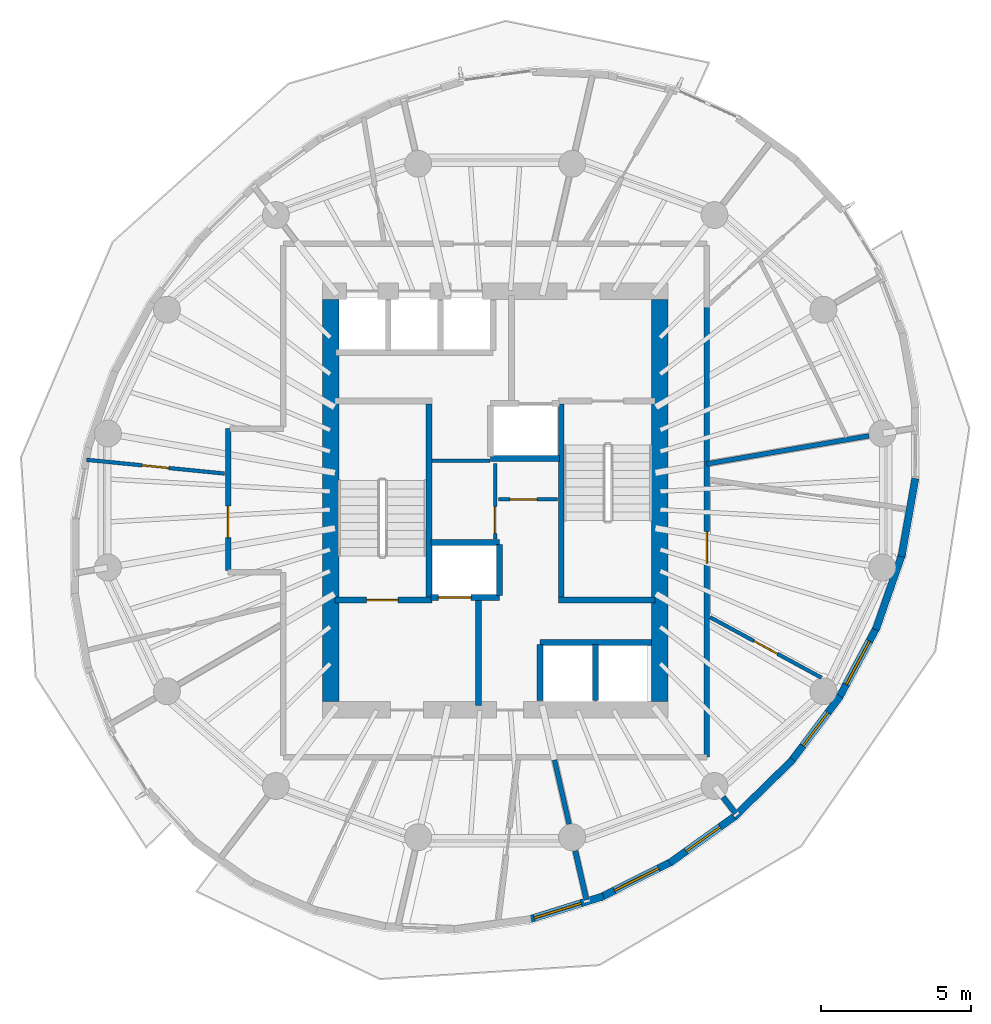
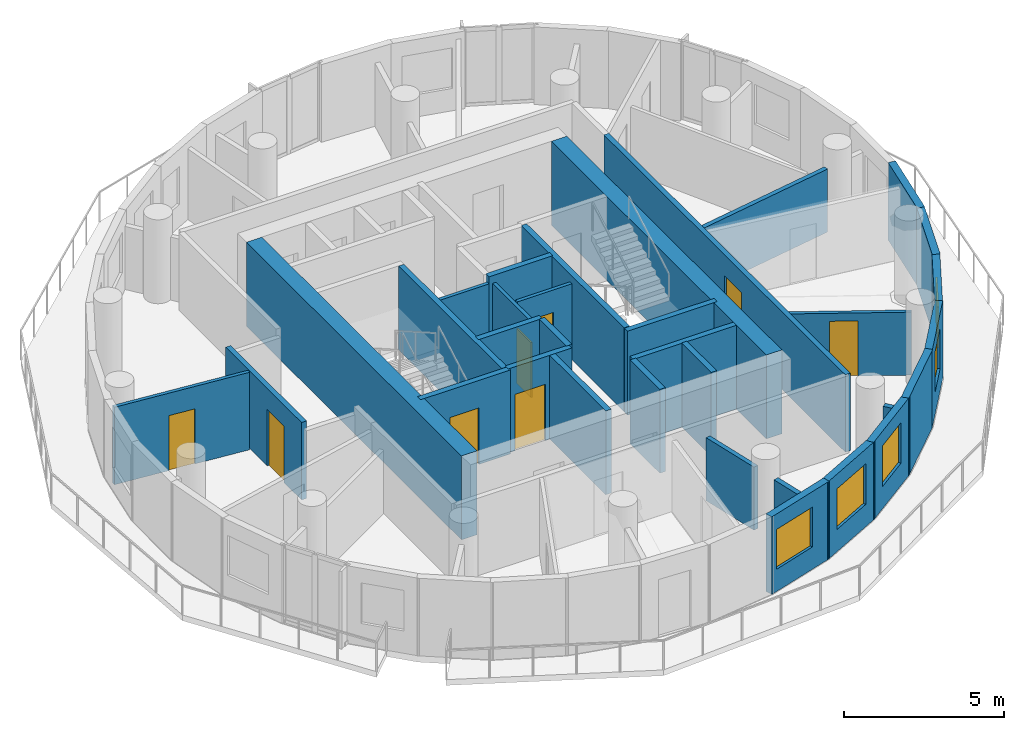
# One storey, part 5 of 10: 33 walls, 8 doors, 5 windows, 13 openings.
"""IFC4 building model written with IfcOpenShell, lengths in metres."""

from ifc_helpers import new_model, si_unit, direction, frame, frame_2d, origin, place, context, subcontext, project, spatial, rectangle, extrude, material, layer, layer_set, type_object, element, fill, save


model = new_model("IFC4")

# Units and contexts
model_context = context("Model", 3, precision=1e-05, world=origin(), true_north=direction((0.0, 1.0)))
body_context = subcontext(model_context, "Body", "Model", "MODEL_VIEW")
ifc_project = project(units=[si_unit("LENGTHUNIT", "METRE"), si_unit("AREAUNIT", "SQUARE_METRE"), si_unit("VOLUMEUNIT", "CUBIC_METRE"), si_unit("PLANEANGLEUNIT", "RADIAN"), si_unit("MASSUNIT", "GRAM", prefix="KILO")], contexts=[model_context])

# Site, building, storey
site_placement = place(None, origin())
site = spatial("IfcSite", under=ifc_project, at=site_placement, CompositionType="ELEMENT")
building_placement = place(site_placement, origin())
building = spatial("IfcBuilding", under=site, at=building_placement, Name="Veldorim Arch Residences", CompositionType="ELEMENT")
storey_placement = place(building_placement, frame((0.0, 0.0, 195.0400390625)))
storey = spatial("IfcBuildingStorey", under=building, at=storey_placement, Name="L58", CompositionType="ELEMENT", Elevation=195.0400390625)

# Wall, opening, door
ifc_material_1 = material(Name="Acoustic Gypsum Board", Category="gypsum")
ifc_layer_1 = layer(ifc_material_1, 0.125, Name="Acoustic Stud Room Partition Wall 125")
ifc_layer_set_1 = layer_set([ifc_layer_1], Name="Acoustic Gypsum Board")
wall_type_1 = type_object("IfcWallType", Name="Acoustic Stud Room Partition Wall 125", PredefinedType="PARTITIONING", material=ifc_layer_set_1)
wall_1_placement = place(storey_placement, frame((32.0, 22.719970703125, 0.0), z_axis=(0.0, 0.0, 1.0), x_axis=(0.0, 1.0, 0.0)))
wall_1 = element("IfcWall", 1, at=wall_1_placement, inside=storey, type_object=wall_type_1, Name="L58 interior wall WL-CA-L58-1", PredefinedType="PARTITIONING", context=body_context, shape_type="SweptSolid", body=[
    extrude(rectangle(XDim=2.52001953125, YDim=0.125, at=frame_2d((1.260009765625, 0.0))), origin(), (0.0, 0.0, 1.0), 2.955078125),
])
opening_1_placement = place(wall_1_placement, frame((0.179931640625, 0.0, 0.0)))
opening_1 = element("IfcOpeningElement", 2, at=opening_1_placement, cuts=wall_1, Name="Opening DR-SVC", PredefinedType="OPENING", context=body_context, shape_type="SweptSolid", body=[
    extrude(rectangle(XDim=0.89990234375, YDim=2.10009765625, at=frame_2d((0.449951171875, 1.050048828125))), frame((0.0, 0.072509765625, 0.0), z_axis=(0.0, -1.0, 0.0), x_axis=(1.0, 0.0, 0.0)), (0.0, 0.0, 1.0), 0.14501953125),
])
ifc_material_2 = material(Name="Fire-Rated Steel", Category="steel")
door_type_1 = type_object("IfcDoorType", Name="Riser, Shelter & Plant Room Rated Steel Door 900x2100", OperationType="SINGLE_SWING_LEFT", PredefinedType="DOOR", material=ifc_material_2)
door_1_placement = place(opening_1_placement, origin())
door_1 = element("IfcDoor", 3, at=door_1_placement, inside=storey, type_object=door_type_1, Name="L58 interior door DR-L58-CA2", OperationType="SINGLE_SWING_RIGHT", OverallHeight=2.10009765625, OverallWidth=0.89990234375, PredefinedType="DOOR", context=body_context, shape_type="SweptSolid", body=[
    extrude(rectangle(XDim=0.89990234375, YDim=2.10009765625, at=frame_2d((0.449951171875, 1.050048828125))), frame((0.0, 0.02490234375, 0.0), z_axis=(0.0, -1.0, 0.0), x_axis=(1.0, 0.0, 0.0)), (0.0, 0.0, 1.0), 0.050048828125),
])
fill(opening_1, door_1)

wall_2_placement = place(storey_placement, frame((32.110107421875, 24.0400390625, 0.0), z_axis=(0.0, 0.0, 1.0), x_axis=(1.0, 0.0, 0.0)))
wall_2 = element("IfcWall", 4, at=wall_2_placement, inside=storey, type_object=wall_type_1, Name="L58 interior wall WL-CA-L58-3", PredefinedType="PARTITIONING", context=body_context, shape_type="SweptSolid", body=[
    extrude(rectangle(XDim=1.969970703125, YDim=0.125, at=frame_2d((0.98486328125, 0.0))), origin(), (0.0, 0.0, 1.0), 2.955078125),
])
opening_2_placement = place(wall_2_placement, frame((0.389892578125, 0.0, 0.0)))
opening_2 = element("IfcOpeningElement", 5, at=opening_2_placement, cuts=wall_2, Name="Opening DR-INT", PredefinedType="OPENING", context=body_context, shape_type="SweptSolid", body=[
    extrude(rectangle(XDim=0.89990234375, YDim=2.10009765625, at=frame_2d((0.449951171875, 1.050048828125))), frame((0.0, 0.072509765625, 0.0), z_axis=(0.0, -1.0, 0.0), x_axis=(1.0, 0.0, 0.0)), (0.0, 0.0, 1.0), 0.14501953125),
])
ifc_material_3 = material(Name="Engineered Timber", Category="wood")
door_type_2 = type_object("IfcDoorType", Name="Apartment Internal Room Timber Door 900x2100", OperationType="SINGLE_SWING_LEFT", PredefinedType="DOOR", material=ifc_material_3)
door_2_placement = place(opening_2_placement, origin())
door_2 = element("IfcDoor", 6, at=door_2_placement, inside=storey, type_object=door_type_2, Name="L58 interior door DR-L58-CA1", OperationType="SINGLE_SWING_LEFT", OverallHeight=2.10009765625, OverallWidth=0.89990234375, PredefinedType="DOOR", context=body_context, shape_type="SweptSolid", body=[
    extrude(rectangle(XDim=0.89990234375, YDim=2.10009765625, at=frame_2d((0.449951171875, 1.050048828125))), frame((0.0, 0.02490234375, 0.0), z_axis=(0.0, -1.0, 0.0), x_axis=(1.0, 0.0, 0.0)), (0.0, 0.0, 1.0), 0.050048828125),
])
fill(opening_2, door_2)

# Wall
wall_3_placement = place(storey_placement, frame((29.889892578125, 25.330078125, 0.0), z_axis=(0.0, 0.0, 1.0), x_axis=(1.0, 0.0, 0.0)))
element("IfcWall", 7, at=wall_3_placement, inside=storey, type_object=wall_type_1, Name="L58 interior wall WL-CA-L58-N", PredefinedType="PARTITIONING", context=body_context, shape_type="SweptSolid", body=[
    extrude(rectangle(XDim=1.940185546875, YDim=0.125, at=frame_2d((0.97021484375, 0.0))), origin(), (0.0, 0.0, 1.0), 2.955078125),
])

# Wall, opening, door
wall_4_placement = place(storey_placement, frame((42.910888671875, 18.075439453125, 0.0), z_axis=(0.0, 0.0, 1.0), x_axis=(-0.878816171277, 0.477160494071, 0.0)))
wall_4 = element("IfcWall", 8, at=wall_4_placement, inside=storey, type_object=wall_type_1, Name="L58 interior wall WL-RES-L58-016", PredefinedType="PARTITIONING", context=body_context, shape_type="SweptSolid", body=[
    extrude(rectangle(XDim=4.239013671875, YDim=0.125, at=frame_2d((2.11962890625, 0.0))), origin(), (0.0, 0.0, 1.0), 2.4033203125),
])
opening_3_placement = place(wall_4_placement, frame((1.669677734375, 0.0, 0.0)))
opening_3 = element("IfcOpeningElement", 9, at=opening_3_placement, cuts=wall_4, Name="Opening DR-INT", PredefinedType="OPENING", context=body_context, shape_type="SweptSolid", body=[
    extrude(rectangle(XDim=0.89990234375, YDim=2.10009765625, at=frame_2d((0.449951171875, 1.050048828125))), frame((0.0, 0.072509765625, 0.0), z_axis=(0.0, -1.0, 0.0), x_axis=(1.0, 0.0, 0.0)), (0.0, 0.0, 1.0), 0.14501953125),
])
door_3_placement = place(opening_3_placement, origin())
door_3 = element("IfcDoor", 10, at=door_3_placement, inside=storey, type_object=door_type_2, Name="L58 interior door DR-RES-L58-006", OperationType="SINGLE_SWING_RIGHT", OverallHeight=2.10009765625, OverallWidth=0.89990234375, PredefinedType="DOOR", context=body_context, shape_type="SweptSolid", body=[
    extrude(rectangle(XDim=0.89990234375, YDim=2.10009765625, at=frame_2d((0.449951171875, 1.050048828125))), frame((0.0, 0.02490234375, 0.0), z_axis=(0.0, -1.0, 0.0), x_axis=(1.0, 0.0, 0.0)), (0.0, 0.0, 1.0), 0.050048828125),
])
fill(opening_3, door_3)

wall_5_placement = place(storey_placement, frame((18.33349609375, 25.361572265625, 0.0), z_axis=(0.0, 0.0, 1.0), x_axis=(0.995074627982, -0.09912862728, 0.0)))
wall_5 = element("IfcWall", 11, at=wall_5_placement, inside=storey, type_object=wall_type_1, Name="L58 interior wall WL-RES-L58-025", PredefinedType="PARTITIONING", context=body_context, shape_type="SweptSolid", body=[
    extrude(rectangle(XDim=4.64013671875, YDim=0.125, at=frame_2d((2.320068359375, 0.0))), origin(), (0.0, 0.0, 1.0), 2.955078125),
])
opening_4_placement = place(wall_5_placement, frame((1.8701171875, 0.0, 0.0)))
opening_4 = element("IfcOpeningElement", 12, at=opening_4_placement, cuts=wall_5, Name="Opening DR-INT", PredefinedType="OPENING", context=body_context, shape_type="SweptSolid", body=[
    extrude(rectangle(XDim=0.89990234375, YDim=2.10009765625, at=frame_2d((0.449951171875, 1.050048828125))), frame((0.0, 0.072509765625, 0.0), z_axis=(0.0, -1.0, 0.0), x_axis=(1.0, 0.0, 0.0)), (0.0, 0.0, 1.0), 0.14501953125),
])
door_4_placement = place(opening_4_placement, origin())
door_4 = element("IfcDoor", 13, at=door_4_placement, inside=storey, type_object=door_type_2, Name="L58 interior door DR-RES-L58-015", OperationType="SINGLE_SWING_LEFT", OverallHeight=2.10009765625, OverallWidth=0.89990234375, PredefinedType="DOOR", context=body_context, shape_type="SweptSolid", body=[
    extrude(rectangle(XDim=0.89990234375, YDim=2.10009765625, at=frame_2d((0.449951171875, 1.050048828125))), frame((0.0, 0.02490234375, 0.0), z_axis=(0.0, -1.0, 0.0), x_axis=(1.0, 0.0, 0.0)), (0.0, 0.0, 1.0), 0.050048828125),
])
fill(opening_4, door_4)

# Walls
ifc_material_4 = material(Name="Lightweight Masonry Block & Gypsum", Category="masonry")
ifc_layer_2 = layer(ifc_material_4, 0.179931640625, Name="Compartment & Corridor Fire-Rated Party Wall 180")
ifc_layer_set_2 = layer_set([ifc_layer_2], Name="Lightweight Masonry Block & Gypsum")
wall_type_2 = type_object("IfcWallType", Name="Compartment & Corridor Fire-Rated Party Wall 180", PredefinedType="PARTITIONING", material=ifc_layer_set_2)
wall_6_placement = place(storey_placement, frame((34.679931640625, 12.282470703125, 0.0), z_axis=(0.0, 0.0, 1.0), x_axis=(0.222978827263, -0.97482328788, 0.0)))
element("IfcWall", 14, at=wall_6_placement, inside=storey, type_object=wall_type_2, Name="L58 interior wall WL-PIER-L58-13", PredefinedType="PARTITIONING", context=body_context, shape_type="SweptSolid", body=[
    extrude(rectangle(XDim=1.678466796875, YDim=0.179931640625, at=frame_2d((0.83935546875, 0.0))), origin(), (0.0, 0.0, 1.0), 2.4033203125),
])
wall_7_placement = place(storey_placement, frame((39.619873046875, 14.08203125, 0.0), z_axis=(0.0, 0.0, 1.0), x_axis=(0.60904199592, -0.793137974885, 0.0)))
element("IfcWall", 15, at=wall_7_placement, inside=storey, type_object=wall_type_2, Name="L58 interior wall WL-PIER-L58-14", PredefinedType="PARTITIONING", context=body_context, shape_type="SweptSolid", body=[
    extrude(rectangle(XDim=0.688232421875, YDim=0.179931640625, at=frame_2d((0.34423828125, 0.0))), origin(), (0.0, 0.0, 1.0), 2.4033203125),
])

# Wall, opening, door
wall_8_placement = place(storey_placement, frame((39.080078125, 30.50830078125, 0.0), z_axis=(0.0, 0.0, 1.0), x_axis=(0.0, -1.0, 0.0)))
wall_8 = element("IfcWall", 16, at=wall_8_placement, inside=storey, type_object=wall_type_2, Name="L58 interior wall WL-RES-L58-003", PredefinedType="PARTITIONING", context=body_context, shape_type="SweptSolid", body=[
    extrude(rectangle(XDim=15.08837890625, YDim=0.179931640625, at=frame_2d((7.544189453125, 0.0))), origin(), (0.0, 0.0, 1.0), 2.955078125),
])
opening_5_placement = place(wall_8_placement, frame((7.548095703125, 0.0, 0.0)))
opening_5 = element("IfcOpeningElement", 17, at=opening_5_placement, cuts=wall_8, Name="Opening DR-FLT", PredefinedType="OPENING", context=body_context, shape_type="SweptSolid", body=[
    extrude(rectangle(XDim=1.050048828125, YDim=2.14990234375, at=frame_2d((0.52490234375, 1.074951171875))), frame((0.0, 0.099853515625, 0.0), z_axis=(0.0, -1.0, 0.0), x_axis=(1.0, 0.0, 0.0)), (0.0, 0.0, 1.0), 0.199951171875),
])
ifc_material_5 = material(Name="Fire-Rated Timber", Category="wood")
door_type_3 = type_object("IfcDoorType", Name="Apartment Entrance Solid-Core Fire Door 1050x2150", OperationType="SINGLE_SWING_LEFT", PredefinedType="DOOR", material=ifc_material_5)
door_5_placement = place(opening_5_placement, origin())
door_5 = element("IfcDoor", 18, at=door_5_placement, inside=storey, type_object=door_type_3, Name="L58 interior door DR-RES-L58-004", OperationType="SINGLE_SWING_RIGHT", OverallHeight=2.14990234375, OverallWidth=1.050048828125, PredefinedType="DOOR", context=body_context, shape_type="SweptSolid", body=[
    extrude(rectangle(XDim=1.050048828125, YDim=2.14990234375, at=frame_2d((0.52490234375, 1.074951171875))), frame((0.0, 0.02490234375, 0.0), z_axis=(0.0, -1.0, 0.0), x_axis=(1.0, 0.0, 0.0)), (0.0, 0.0, 1.0), 0.050048828125),
])
fill(opening_5, door_5)

wall_9_placement = place(storey_placement, frame((23.070068359375, 21.659912109375, 0.0), z_axis=(0.0, 0.0, 1.0), x_axis=(0.0, 1.0, 0.0)))
wall_9 = element("IfcWall", 19, at=wall_9_placement, inside=storey, type_object=wall_type_2, Name="L58 interior wall WL-RES-L58-008", PredefinedType="PARTITIONING", context=body_context, shape_type="SweptSolid", body=[
    extrude(rectangle(XDim=4.739990234375, YDim=0.179931640625, at=frame_2d((2.3701171875, 0.0))), origin(), (0.0, 0.0, 1.0), 2.955078125),
])
opening_6_placement = place(wall_9_placement, frame((1.099853515625, 0.0, 0.0)))
opening_6 = element("IfcOpeningElement", 20, at=opening_6_placement, cuts=wall_9, Name="Opening DR-FLT", PredefinedType="OPENING", context=body_context, shape_type="SweptSolid", body=[
    extrude(rectangle(XDim=1.050048828125, YDim=2.14990234375, at=frame_2d((0.52490234375, 1.074951171875))), frame((0.0, 0.099853515625, 0.0), z_axis=(0.0, -1.0, 0.0), x_axis=(1.0, 0.0, 0.0)), (0.0, 0.0, 1.0), 0.199951171875),
])
door_6_placement = place(opening_6_placement, origin())
door_6 = element("IfcDoor", 21, at=door_6_placement, inside=storey, type_object=door_type_3, Name="L58 interior door DR-RES-L58-013", OperationType="SINGLE_SWING_LEFT", OverallHeight=2.14990234375, OverallWidth=1.050048828125, PredefinedType="DOOR", context=body_context, shape_type="SweptSolid", body=[
    extrude(rectangle(XDim=1.050048828125, YDim=2.14990234375, at=frame_2d((0.52490234375, 1.074951171875))), frame((0.0, 0.02490234375, 0.0), z_axis=(0.0, -1.0, 0.0), x_axis=(1.0, 0.0, 0.0)), (0.0, 0.0, 1.0), 0.050048828125),
])
fill(opening_6, door_6)

# Wall
ifc_material_6 = material(Name="Concrete C50/60", Category="concrete")
ifc_layer_3 = layer(ifc_material_6, 0.199951171875, Name="Core Stair & Lift Shaft Enclosure Wall 200")
ifc_layer_set_3 = layer_set([ifc_layer_3], Name="Concrete C50/60")
wall_type_3 = type_object("IfcWallType", Name="Core Stair & Lift Shaft Enclosure Wall 200", PredefinedType="SHEAR", material=ifc_layer_set_3)
wall_10_placement = place(storey_placement, frame((29.7900390625, 20.780029296875, 0.0), z_axis=(0.0, 0.0, 1.0), x_axis=(0.0, 1.0, 0.0)))
element("IfcWall", 22, at=wall_10_placement, inside=storey, type_object=wall_type_3, Name="L58 shaft wall WL-SHF-L58-ST1-E", PredefinedType="SHEAR", context=body_context, shape_type="SweptSolid", body=[
    extrude(rectangle(XDim=6.43994140625, YDim=0.199951171875, at=frame_2d((3.219970703125, 0.0))), origin(), (0.0, 0.0, 1.0), 3.199951171875),
])

# Wall, opening, door
wall_11_placement = place(storey_placement, frame((26.64990234375, 20.669921875, 0.0), z_axis=(0.0, 0.0, 1.0), x_axis=(1.0, 0.0, 0.0)))
wall_11 = element("IfcWall", 23, at=wall_11_placement, inside=storey, type_object=wall_type_3, Name="L58 shaft wall WL-SHF-L58-ST1-S", PredefinedType="SHEAR", context=body_context, shape_type="SweptSolid", body=[
    extrude(rectangle(XDim=3.239990234375, YDim=0.199951171875, at=frame_2d((1.6201171875, 0.0))), origin(), (0.0, 0.0, 1.0), 3.199951171875),
])
opening_7_placement = place(wall_11_placement, frame((1.054931640625, 0.0, 0.0)))
opening_7 = element("IfcOpeningElement", 24, at=opening_7_placement, cuts=wall_11, Name="Opening DR-ST", PredefinedType="OPENING", context=body_context, shape_type="SweptSolid", body=[
    extrude(rectangle(XDim=1.050048828125, YDim=2.14990234375, at=frame_2d((0.52490234375, 1.074951171875))), frame((0.0, 0.10986328125, 0.0), z_axis=(0.0, -1.0, 0.0), x_axis=(1.0, 0.0, 0.0)), (0.0, 0.0, 1.0), 0.219970703125),
])
ifc_material_7 = material(Name="Fire-Rated Steel", Category="steel")
door_type_4 = type_object("IfcDoorType", Name="Exit Staircase Self-Closing Fire Door 1050x2150", OperationType="SINGLE_SWING_LEFT", PredefinedType="DOOR", material=ifc_material_7)
door_7_placement = place(opening_7_placement, origin())
door_7 = element("IfcDoor", 25, at=door_7_placement, inside=storey, type_object=door_type_4, Name="L58 interior door DR-L58-ST1", OperationType="SINGLE_SWING_LEFT", OverallHeight=2.14990234375, OverallWidth=1.050048828125, PredefinedType="DOOR", context=body_context, shape_type="SweptSolid", body=[
    extrude(rectangle(XDim=1.050048828125, YDim=2.14990234375, at=frame_2d((0.52490234375, 1.074951171875))), frame((0.0, 0.02490234375, 0.0), z_axis=(0.0, -1.0, 0.0), x_axis=(1.0, 0.0, 0.0)), (0.0, 0.0, 1.0), 0.050048828125),
])
fill(opening_7, door_7)

# Walls
wall_12_placement = place(storey_placement, frame((34.2099609375, 20.780029296875, 0.0), z_axis=(0.0, 0.0, 1.0), x_axis=(0.0, 1.0, 0.0)))
element("IfcWall", 26, at=wall_12_placement, inside=storey, type_object=wall_type_3, Name="L58 shaft wall WL-SHF-L58-ST2-W", PredefinedType="SHEAR", context=body_context, shape_type="SweptSolid", body=[
    extrude(rectangle(XDim=6.43994140625, YDim=0.199951171875, at=frame_2d((3.219970703125, 0.0))), origin(), (0.0, 0.0, 1.0), 3.199951171875),
])
wall_13_placement = place(storey_placement, frame((34.110107421875, 20.669921875, 0.0), z_axis=(0.0, 0.0, 1.0), x_axis=(1.0, 0.0, 0.0)))
element("IfcWall", 27, at=wall_13_placement, inside=storey, type_object=wall_type_3, Name="L58 shaft wall WL-SHF-L58-ST2-S", PredefinedType="SHEAR", context=body_context, shape_type="SweptSolid", body=[
    extrude(rectangle(XDim=3.239990234375, YDim=0.199951171875, at=frame_2d((1.6201171875, 0.0))), origin(), (0.0, 0.0, 1.0), 3.199951171875),
])
wall_14_placement = place(storey_placement, frame((31.449951171875, 17.14990234375, 0.0), z_axis=(0.0, 0.0, 1.0), x_axis=(0.0, 1.0, 0.0)))
element("IfcWall", 28, at=wall_14_placement, inside=storey, type_object=wall_type_3, Name="L58 shaft wall WL-FFL1-L58-E", PredefinedType="SHEAR", context=body_context, shape_type="SweptSolid", body=[
    extrude(rectangle(XDim=3.5, YDim=0.199951171875, at=frame_2d((1.75, 0.0))), origin(), (0.0, 0.0, 1.0), 3.199951171875),
])

# Wall, opening, door
wall_15_placement = place(storey_placement, frame((29.85009765625, 20.75, 0.0), z_axis=(0.0, 0.0, 1.0), x_axis=(1.0, 0.0, 0.0)))
wall_15 = element("IfcWall", 29, at=wall_15_placement, inside=storey, type_object=wall_type_3, Name="L58 shaft wall WL-FL01-L58-S", PredefinedType="SHEAR", context=body_context, shape_type="SweptSolid", body=[
    extrude(rectangle(XDim=2.2998046875, YDim=0.199951171875, at=frame_2d((1.14990234375, 0.0))), origin(), (0.0, 0.0, 1.0), 3.199951171875),
])
opening_8_placement = place(wall_15_placement, frame((0.25, 0.0, 0.0)))
opening_8 = element("IfcOpeningElement", 30, at=opening_8_placement, cuts=wall_15, Name="Opening LD-FF", PredefinedType="OPENING", context=body_context, shape_type="SweptSolid", body=[
    extrude(rectangle(XDim=1.10009765625, YDim=2.14990234375, at=frame_2d((0.550048828125, 1.074951171875))), frame((0.0, 0.10986328125, 0.0), z_axis=(0.0, -1.0, 0.0), x_axis=(1.0, 0.0, 0.0)), (0.0, 0.0, 1.0), 0.219970703125),
])
ifc_material_8 = material(Name="Stainless Steel", Category="steel")
door_type_5 = type_object("IfcDoorType", Name="Firefighting Lift Bi-Parting Sliding Landing Door 1100x2150", OperationType="DOUBLE_DOOR_SLIDING", PredefinedType="DOOR", material=ifc_material_8)
door_8_placement = place(opening_8_placement, origin())
door_8 = element("IfcDoor", 31, at=door_8_placement, inside=storey, type_object=door_type_5, Name="L58 lift landing door LD-L58-FL01", OperationType="DOUBLE_DOOR_SLIDING", OverallHeight=2.14990234375, OverallWidth=1.10009765625, PredefinedType="DOOR", context=body_context, shape_type="SweptSolid", body=[
    extrude(rectangle(XDim=1.10009765625, YDim=2.14990234375, at=frame_2d((0.550048828125, 1.074951171875))), frame((0.0, 0.02490234375, 0.0), z_axis=(0.0, -1.0, 0.0), x_axis=(1.0, 0.0, 0.0)), (0.0, 0.0, 1.0), 0.050048828125),
])
fill(opening_8, door_8)

# Walls
wall_16_placement = place(storey_placement, frame((29.85009765625, 22.60009765625, 0.0), z_axis=(0.0, 0.0, 1.0), x_axis=(1.0, 0.0, 0.0)))
element("IfcWall", 32, at=wall_16_placement, inside=storey, type_object=wall_type_3, Name="L58 shaft wall WL-FL01-L58-N", PredefinedType="SHEAR", context=body_context, shape_type="SweptSolid", body=[
    extrude(rectangle(XDim=2.2998046875, YDim=0.199951171875, at=frame_2d((1.14990234375, 0.0))), origin(), (0.0, 0.0, 1.0), 3.199951171875),
])
wall_17_placement = place(storey_placement, frame((32.14990234375, 20.820068359375, 0.0), z_axis=(0.0, 0.0, 1.0), x_axis=(0.0, 1.0, 0.0)))
element("IfcWall", 33, at=wall_17_placement, inside=storey, type_object=wall_type_3, Name="L58 shaft wall WL-FL01-L58-E", PredefinedType="SHEAR", context=body_context, shape_type="SweptSolid", body=[
    extrude(rectangle(XDim=1.7099609375, YDim=0.199951171875, at=frame_2d((0.85498046875, 0.0))), origin(), (0.0, 0.0, 1.0), 3.199951171875),
])
wall_18_placement = place(storey_placement, frame((31.85009765625, 25.39990234375, 0.0), z_axis=(0.0, 0.0, 1.0), x_axis=(1.0, 0.0, 0.0)))
element("IfcWall", 34, at=wall_18_placement, inside=storey, type_object=wall_type_3, Name="L58 shaft wall WL-FL02-L58-S", PredefinedType="SHEAR", context=body_context, shape_type="SweptSolid", body=[
    extrude(rectangle(XDim=2.2998046875, YDim=0.199951171875, at=frame_2d((1.14990234375, 0.0))), origin(), (0.0, 0.0, 1.0), 3.199951171875),
])
wall_19_placement = place(storey_placement, frame((33.5, 19.25, 0.0), z_axis=(0.0, 0.0, 1.0), x_axis=(1.0, 0.0, 0.0)))
element("IfcWall", 35, at=wall_19_placement, inside=storey, type_object=wall_type_3, Name="L58 shaft wall WL-OL-L58-N", PredefinedType="SHEAR", context=body_context, shape_type="SweptSolid", body=[
    extrude(rectangle(XDim=3.719970703125, YDim=0.199951171875, at=frame_2d((1.85986328125, 0.0))), origin(), (0.0, 0.0, 1.0), 3.199951171875),
])
for number, where, z_axis, x_axis, name in (
    (36, (33.5, 17.320068359375, 0.0), (0.0, 0.0, 1.0), (0.0, 1.0, 0.0), "L58 shaft wall WL-OL-L58-W"),
    (37, (35.35009765625, 17.320068359375, 0.0), (0.0, 0.0, 1.0), (0.0, 1.0, 0.0), "L58 shaft wall WL-OL-L58-D1"),
):
    element("IfcWall", number, at=place(storey_placement, frame(where, z_axis=z_axis, x_axis=x_axis)), inside=storey, type_object=wall_type_3, Name=name, PredefinedType="SHEAR", context=body_context, shape_type="SweptSolid", body=[
        extrude(rectangle(XDim=1.85986328125, YDim=0.199951171875, at=frame_2d((0.929931640625, 0.0))), origin(), (0.0, 0.0, 1.0), 3.199951171875),
    ])

# Wall, opening, window
ifc_material_9 = material(Name="Precast concrete C40/50", Category="concrete")
ifc_layer_4 = layer(ifc_material_9, 0.25, Name="Tower Terracotta Spandrel & Pier Wall 250")
ifc_layer_set_4 = layer_set([ifc_layer_4], Name="Precast concrete C40/50")
wall_type_4 = type_object("IfcWallType", Name="Tower Terracotta Spandrel & Pier Wall 250", PredefinedType="SOLIDWALL", material=ifc_layer_set_4)
wall_20_placement = place(storey_placement, frame((35.620849609375, 10.765869140625, 0.0), z_axis=(0.0, 0.0, 1.0), x_axis=(-0.954307768746, -0.298825505122, 0.0)))
wall_20 = element("IfcWall", 38, at=wall_20_placement, inside=storey, type_object=wall_type_4, Name="L58 terracotta facade wall 24", PredefinedType="SOLIDWALL", context=body_context, shape_type="SweptSolid", body=[
    extrude(rectangle(XDim=2.651123046875, YDim=0.25, at=frame_2d((1.32568359375, 0.0))), origin(), (0.0, 0.0, 1.0), 2.9599609375),
])
opening_9_placement = place(wall_20_placement, frame((0.780029296875, 0.0, 0.85009765625)))
opening_9 = element("IfcOpeningElement", 39, at=opening_9_placement, cuts=wall_20, Name="Opening WN-03", PredefinedType="OPENING", context=body_context, shape_type="SweptSolid", body=[
    extrude(rectangle(XDim=1.64990234375, YDim=1.52001953125, at=frame_2d((0.824951171875, 0.760009765625))), frame((0.0, 0.135009765625, 0.0), z_axis=(0.0, -1.0, 0.0), x_axis=(1.0, 0.0, 0.0)), (0.0, 0.0, 1.0), 0.27001953125),
])
ifc_material_10 = material(Name="Laminated Low-E Glass", Category="glass")
window_type_1 = type_object("IfcWindowType", Name="Residential Wide Window 1650x1550", PartitioningType="SINGLE_PANEL", PredefinedType="WINDOW", material=ifc_material_10)
window_1_placement = place(opening_9_placement, origin())
window_1 = element("IfcWindow", 40, at=window_1_placement, inside=storey, type_object=window_type_1, Name="L58 solar-control facade window 24", OverallHeight=1.52001953125, OverallWidth=1.64990234375, PartitioningType="SINGLE_PANEL", PredefinedType="WINDOW", context=body_context, shape_type="SweptSolid", body=[
    extrude(rectangle(XDim=1.64990234375, YDim=1.52001953125, at=frame_2d((0.824951171875, 0.760009765625))), frame((0.0, 0.030029296875, 0.0), z_axis=(0.0, -1.0, 0.0), x_axis=(1.0, 0.0, 0.0)), (0.0, 0.0, 1.0), 0.06005859375),
])
fill(opening_9, window_1)

wall_21_placement = place(storey_placement, frame((37.93359375, 11.9365234375, 0.0), z_axis=(0.0, 0.0, 1.0), x_axis=(-0.893757522153, -0.448550433724, 0.0)))
wall_21 = element("IfcWall", 41, at=wall_21_placement, inside=storey, type_object=wall_type_4, Name="L58 terracotta facade wall 25", PredefinedType="SOLIDWALL", context=body_context, shape_type="SweptSolid", body=[
    extrude(rectangle(XDim=2.701904296875, YDim=0.25, at=frame_2d((1.35107421875, 0.0))), origin(), (0.0, 0.0, 1.0), 2.9599609375),
])
opening_10_placement = place(wall_21_placement, frame((0.52587890625, 0.0, 0.85009765625)))
opening_10 = element("IfcOpeningElement", 42, at=opening_10_placement, cuts=wall_21, Name="Opening WN-03", PredefinedType="OPENING", context=body_context, shape_type="SweptSolid", body=[
    extrude(rectangle(XDim=1.64990234375, YDim=1.550048828125, at=frame_2d((0.824951171875, 0.77490234375))), frame((0.0, 0.135009765625, 0.0), z_axis=(0.0, -1.0, 0.0), x_axis=(1.0, 0.0, 0.0)), (0.0, 0.0, 1.0), 0.27001953125),
])
window_2_placement = place(opening_10_placement, origin())
window_2 = element("IfcWindow", 43, at=window_2_placement, inside=storey, type_object=window_type_1, Name="L58 solar-control facade window 25", OverallHeight=1.550048828125, OverallWidth=1.64990234375, PartitioningType="SINGLE_PANEL", PredefinedType="WINDOW", context=body_context, shape_type="SweptSolid", body=[
    extrude(rectangle(XDim=1.64990234375, YDim=1.550048828125, at=frame_2d((0.824951171875, 0.77490234375))), frame((0.0, 0.030029296875, 0.0), z_axis=(0.0, -1.0, 0.0), x_axis=(1.0, 0.0, 0.0)), (0.0, 0.0, 1.0), 0.06005859375),
])
fill(opening_10, window_2)

wall_22_placement = place(storey_placement, frame((40.06640625, 13.474365234375, 0.0), z_axis=(0.0, 0.0, 1.0), x_axis=(-0.812997900305, -0.58226661771, 0.0)))
wall_22 = element("IfcWall", 44, at=wall_22_placement, inside=storey, type_object=wall_type_4, Name="L58 terracotta facade wall 26", PredefinedType="SOLIDWALL", context=body_context, shape_type="SweptSolid", body=[
    extrude(rectangle(XDim=2.738525390625, YDim=0.25, at=frame_2d((1.369140625, 0.0))), origin(), (0.0, 0.0, 1.0), 2.9599609375),
])
opening_11_placement = place(wall_22_placement, frame((0.6689453125, 0.0, 0.85009765625)))
opening_11 = element("IfcOpeningElement", 45, at=opening_11_placement, cuts=wall_22, Name="Opening WN-02", PredefinedType="OPENING", context=body_context, shape_type="SweptSolid", body=[
    extrude(rectangle(XDim=1.39990234375, YDim=1.550048828125, at=frame_2d((0.699951171875, 0.77490234375))), frame((0.0, 0.135009765625, 0.0), z_axis=(0.0, -1.0, 0.0), x_axis=(1.0, 0.0, 0.0)), (0.0, 0.0, 1.0), 0.27001953125),
])
ifc_material_11 = material(Name="Laminated Low-E Glass", Category="glass")
window_type_2 = type_object("IfcWindowType", Name="Residential Casement Window 1400x1550", PartitioningType="SINGLE_PANEL", PredefinedType="WINDOW", material=ifc_material_11)
window_3_placement = place(opening_11_placement, origin())
window_3 = element("IfcWindow", 46, at=window_3_placement, inside=storey, type_object=window_type_2, Name="L58 solar-control facade window 26", OverallHeight=1.550048828125, OverallWidth=1.39990234375, PartitioningType="SINGLE_PANEL", PredefinedType="WINDOW", context=body_context, shape_type="SweptSolid", body=[
    extrude(rectangle(XDim=1.39990234375, YDim=1.550048828125, at=frame_2d((0.699951171875, 0.77490234375))), frame((0.0, 0.030029296875, 0.0), z_axis=(0.0, -1.0, 0.0), x_axis=(1.0, 0.0, 0.0)), (0.0, 0.0, 1.0), 0.06005859375),
])
fill(opening_11, window_3)

# Wall
wall_23_placement = place(storey_placement, frame((41.95458984375, 15.3330078125, 0.0), z_axis=(0.0, 0.0, 1.0), x_axis=(-0.71485422762, -0.699273503898, 0.0)))
element("IfcWall", 47, at=wall_23_placement, inside=storey, type_object=wall_type_4, Name="L58 terracotta facade wall 27", PredefinedType="SOLIDWALL", context=body_context, shape_type="SweptSolid", body=[
    extrude(rectangle(XDim=2.7578125, YDim=0.25, at=frame_2d((1.37890625, 0.0))), origin(), (0.0, 0.0, 1.0), 2.9599609375),
])

# Wall, opening, window
wall_24_placement = place(storey_placement, frame((43.5400390625, 17.4560546875, 0.0), z_axis=(0.0, 0.0, 1.0), x_axis=(-0.600877762795, -0.799340924874, 0.0)))
wall_24 = element("IfcWall", 48, at=wall_24_placement, inside=storey, type_object=wall_type_4, Name="L58 terracotta facade wall 28", PredefinedType="SOLIDWALL", context=body_context, shape_type="SweptSolid", body=[
    extrude(rectangle(XDim=2.758056640625, YDim=0.25, at=frame_2d((1.37890625, 0.0))), origin(), (0.0, 0.0, 1.0), 2.9599609375),
])
opening_12_placement = place(wall_24_placement, frame((0.678955078125, 0.0, 0.85009765625)))
opening_12 = element("IfcOpeningElement", 49, at=opening_12_placement, cuts=wall_24, Name="Opening WN-02", PredefinedType="OPENING", context=body_context, shape_type="SweptSolid", body=[
    extrude(rectangle(XDim=1.39990234375, YDim=1.550048828125, at=frame_2d((0.699951171875, 0.77490234375))), frame((0.0, 0.135009765625, 0.0), z_axis=(0.0, -1.0, 0.0), x_axis=(1.0, 0.0, 0.0)), (0.0, 0.0, 1.0), 0.27001953125),
])
window_4_placement = place(opening_12_placement, origin())
window_4 = element("IfcWindow", 50, at=window_4_placement, inside=storey, type_object=window_type_2, Name="L58 solar-control facade window 28", OverallHeight=1.550048828125, OverallWidth=1.39990234375, PartitioningType="SINGLE_PANEL", PredefinedType="WINDOW", context=body_context, shape_type="SweptSolid", body=[
    extrude(rectangle(XDim=1.39990234375, YDim=1.550048828125, at=frame_2d((0.699951171875, 0.77490234375))), frame((0.0, 0.030029296875, 0.0), z_axis=(0.0, -1.0, 0.0), x_axis=(1.0, 0.0, 0.0)), (0.0, 0.0, 1.0), 0.06005859375),
])
fill(opening_12, window_4)

wall_25_placement = place(storey_placement, frame((44.774169921875, 19.778564453125, 0.0), z_axis=(0.0, 0.0, 1.0), x_axis=(-0.472035862223, -0.88157934684, 0.0)))
wall_25 = element("IfcWall", 51, at=wall_25_placement, inside=storey, type_object=wall_type_4, Name="L58 terracotta facade wall 29", PredefinedType="SOLIDWALL", context=body_context, shape_type="SweptSolid", body=[
    extrude(rectangle(XDim=2.738525390625, YDim=0.25, at=frame_2d((1.369140625, 0.0))), origin(), (0.0, 0.0, 1.0), 2.9599609375),
])
opening_13_placement = place(wall_25_placement, frame((0.5439453125, 0.0, 0.85009765625)))
opening_13 = element("IfcOpeningElement", 52, at=opening_13_placement, cuts=wall_25, Name="Opening WN-03", PredefinedType="OPENING", context=body_context, shape_type="SweptSolid", body=[
    extrude(rectangle(XDim=1.64990234375, YDim=1.550048828125, at=frame_2d((0.824951171875, 0.77490234375))), frame((0.0, 0.135009765625, 0.0), z_axis=(0.0, -1.0, 0.0), x_axis=(1.0, 0.0, 0.0)), (0.0, 0.0, 1.0), 0.27001953125),
])
window_5_placement = place(opening_13_placement, origin())
window_5 = element("IfcWindow", 53, at=window_5_placement, inside=storey, type_object=window_type_1, Name="L58 solar-control facade window 29", OverallHeight=1.550048828125, OverallWidth=1.64990234375, PartitioningType="SINGLE_PANEL", PredefinedType="WINDOW", context=body_context, shape_type="SweptSolid", body=[
    extrude(rectangle(XDim=1.64990234375, YDim=1.550048828125, at=frame_2d((0.824951171875, 0.77490234375))), frame((0.0, 0.030029296875, 0.0), z_axis=(0.0, -1.0, 0.0), x_axis=(1.0, 0.0, 0.0)), (0.0, 0.0, 1.0), 0.06005859375),
])
fill(opening_13, window_5)

# Walls
wall_26_placement = place(storey_placement, frame((45.619140625, 22.229736328125, 0.0), z_axis=(0.0, 0.0, 1.0), x_axis=(-0.329021781096, -0.94432233245, 0.0)))
element("IfcWall", 54, at=wall_26_placement, inside=storey, type_object=wall_type_4, Name="L58 terracotta facade wall 30", PredefinedType="SOLIDWALL", context=body_context, shape_type="SweptSolid", body=[
    extrude(rectangle(XDim=2.70166015625, YDim=0.25, at=frame_2d((1.350830078125, 0.0))), origin(), (0.0, 0.0, 1.0), 2.9599609375),
])
wall_27_placement = place(storey_placement, frame((46.049560546875, 24.734619140625, 0.0), z_axis=(0.0, 0.0, 1.0), x_axis=(-0.172755592744, -0.984964722808, 0.0)))
element("IfcWall", 55, at=wall_27_placement, inside=storey, type_object=wall_type_4, Name="L58 terracotta facade wall 31", PredefinedType="SOLIDWALL", context=body_context, shape_type="SweptSolid", body=[
    extrude(rectangle(XDim=2.651123046875, YDim=0.25, at=frame_2d((1.32568359375, 0.0))), origin(), (0.0, 0.0, 1.0), 2.9599609375),
])
ifc_material_12 = material(Name="Concrete C50/60", Category="concrete")
ifc_layer_5 = layer(ifc_material_12, 0.5, Name="Upper Central Core Shear Wall 560")
ifc_layer_set_5 = layer_set([ifc_layer_5], Name="Concrete C50/60")
wall_type_5 = type_object("IfcWallType", Name="Upper Central Core Shear Wall 560", PredefinedType="SHEAR", material=ifc_layer_set_5)
for number, where, z_axis, x_axis, name in (
    (56, (26.5, 17.280029296875, 0.0), (0.0, 0.0, 1.0), (0.0, 1.0, 0.0), "L58 central core west shear wall"),
    (57, (37.5, 17.280029296875, 0.0), (0.0, 0.0, 1.0), (0.0, 1.0, 0.0), "L58 central core east shear wall"),
):
    element("IfcWall", number, at=place(storey_placement, frame(where, z_axis=z_axis, x_axis=x_axis)), inside=storey, type_object=wall_type_5, Name=name, PredefinedType="SHEAR", context=body_context, shape_type="SweptSolid", body=[
        extrude(rectangle(XDim=13.43994140625, YDim=0.56005859375, at=frame_2d((6.719970703125, 0.0))), origin(), (0.0, 0.0, 1.0), 3.199951171875),
    ])
ifc_material_13 = material(Name="Moisture-Resistant Gypsum & Stud", Category="gypsum")
ifc_layer_6 = layer(ifc_material_13, 0.159912109375, Name="Wet-Area Moisture-Resistant Plumbing Wall 160")
ifc_layer_set_6 = layer_set([ifc_layer_6], Name="Moisture-Resistant Gypsum & Stud")
wall_type_6 = type_object("IfcWallType", Name="Wet-Area Moisture-Resistant Plumbing Wall 160", PredefinedType="PLUMBINGWALL", material=ifc_layer_set_6)
wall_28_placement = place(storey_placement, frame((33.984619140625, 15.322509765625, 0.0), z_axis=(0.0, 0.0, 1.0), x_axis=(0.222969522248, -0.974825416241, 0.0)))
element("IfcWall", 58, at=wall_28_placement, inside=storey, type_object=wall_type_6, Name="L58 interior wall WL-RES-L58-013", PredefinedType="PLUMBINGWALL", context=body_context, shape_type="SweptSolid", body=[
    extrude(rectangle(XDim=2.19873046875, YDim=0.159912109375, at=frame_2d((1.099365234375, 0.0))), origin(), (0.0, 0.0, 1.0), 2.4033203125),
])
wall_29_placement = place(storey_placement, frame((39.080078125, 25.224609375, 0.0), z_axis=(0.0, 0.0, 1.0), x_axis=(0.985359973695, 0.170486721591, 0.0)))
element("IfcWall", 59, at=wall_29_placement, inside=storey, type_object=wall_type_6, Name="L58 interior wall WL-RES-L58-017", PredefinedType="PLUMBINGWALL", context=body_context, shape_type="SweptSolid", body=[
    extrude(rectangle(XDim=5.4990234375, YDim=0.159912109375, at=frame_2d((2.74951171875, 0.0))), origin(), (0.0, 0.0, 1.0), 2.4033203125),
])

save(model, "model.ifc")
